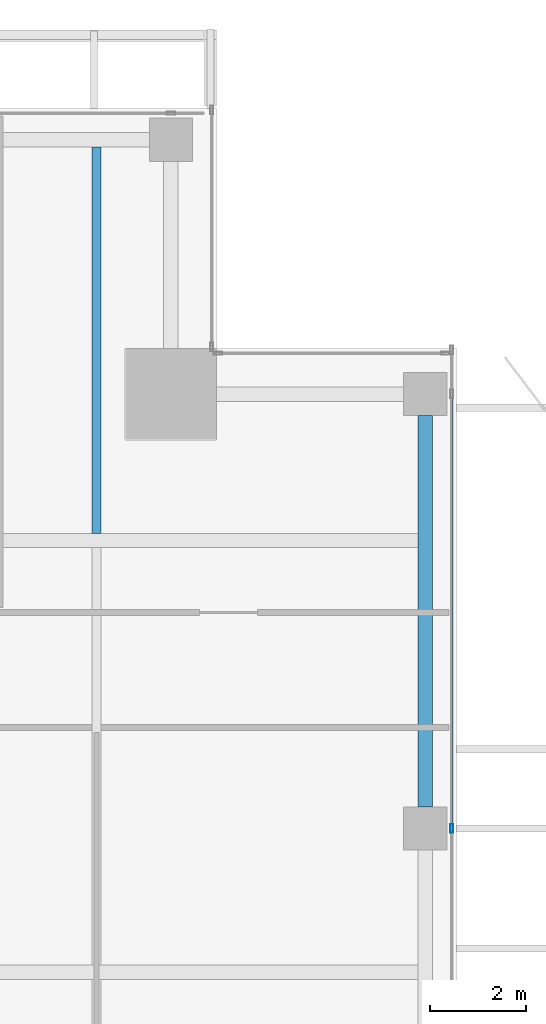
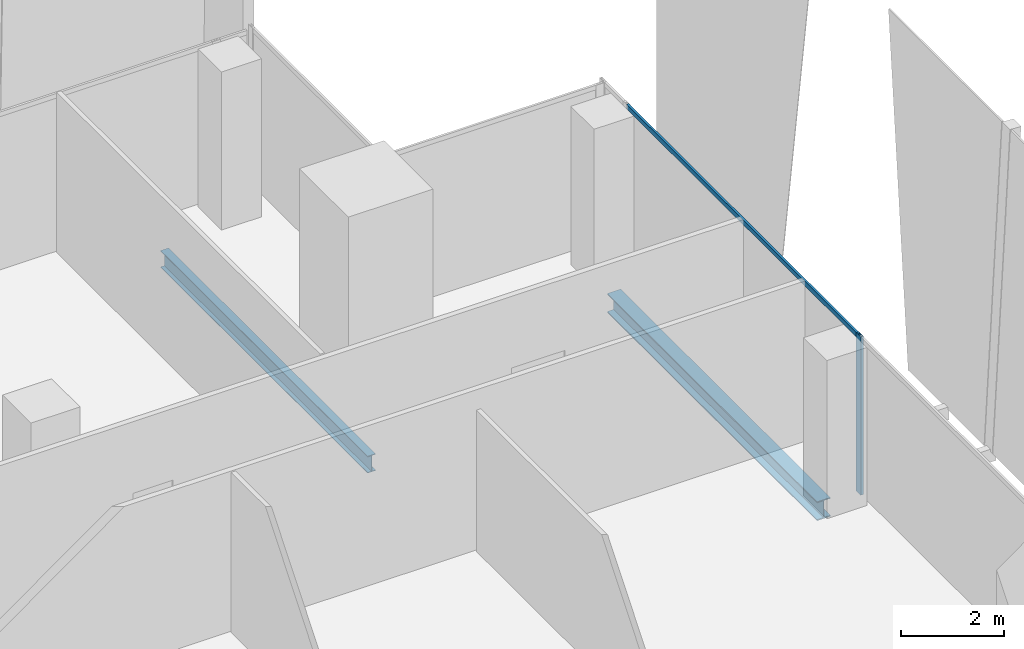
# One storey, part 19 of 35: 2 beams, 2 members, 1 element without a shape of its own.
"""IFC4 building model written with IfcOpenShell, lengths in metres."""

from ifc_helpers import new_model, si_unit, direction, frame, origin, origin_2d, place, context, subcontext, project, spatial, hollow_rectangle, i_section, extrude, source, transform, mapped, material, material_profile, profile_set, type_object, element, aggregate, save


model = new_model("IFC4")

# Units and contexts
model_context = context("Model", 3, precision=1e-05, world=origin(), true_north=direction((0.0, 1.0)))
body_context = subcontext(model_context, "Body", "Model", "MODEL_VIEW")
ifc_project = project(units=[si_unit("LENGTHUNIT", "METRE"), si_unit("AREAUNIT", "SQUARE_METRE"), si_unit("VOLUMEUNIT", "CUBIC_METRE"), si_unit("PLANEANGLEUNIT", "RADIAN"), si_unit("MASSUNIT", "GRAM", prefix="KILO")], contexts=[model_context])

# Site, building, storey
site_placement = place(None, origin())
site = spatial("IfcSite", under=ifc_project, at=site_placement, CompositionType="ELEMENT")
building_placement = place(site_placement, origin())
building = spatial("IfcBuilding", under=site, at=building_placement, Name="Khomas Fold Tower", CompositionType="ELEMENT")
storey_placement = place(building_placement, frame((0.0, 0.0, 258.199951171875)))
storey = spatial("IfcBuildingStorey", under=building, at=storey_placement, Name="L58", CompositionType="ELEMENT", Elevation=258.199951171875)

# Beams
ifc_material_1 = material(Name="Steel S355", Category="steel")
ifc_material_profile_1 = material_profile(ifc_material_1, i_section(OverallWidth=0.300048828125, OverallDepth=0.449951171875, WebThickness=0.013916015625, FlangeThickness=0.02587890625, at=origin_2d()), Name="HE 450 B")
ifc_profile_set_1 = profile_set([ifc_material_profile_1], Name="Steel S355")
beam_type_1 = type_object("IfcBeamType", Name="HE 450 B spandrel SB4", PredefinedType="SPANDREL", material=ifc_profile_set_1)
shared_shape_1 = source(origin(), body_context, "Body", "SweptSolid", [
    extrude(i_section(OverallWidth=0.300048828125, OverallDepth=0.449951171875, WebThickness=0.013916015625, FlangeThickness=0.02587890625, at=origin_2d()), origin(), (0.0, 0.0, 1.0), 8.150146484375),
])
beam_1_placement = place(storey_placement, frame((48.85009765625, 34.949951171875, -0.474853515625), z_axis=(0.0, 1.0, 0.0), x_axis=(-1.0, 0.0, 0.0)))
element("IfcBeam", 1, at=beam_1_placement, inside=storey, type_object=beam_type_1, Name="SB4", PredefinedType="SPANDREL", context=body_context, shape_type="MappedRepresentation", body=[
    mapped(shared_shape_1, transform((0.0, 0.0, 0.0))),
])
ifc_material_2 = material(Name="Steel S355", Category="steel")
ifc_material_profile_2 = material_profile(ifc_material_2, i_section(OverallWidth=0.179931640625, OverallDepth=0.39990234375, WebThickness=0.008544921875, FlangeThickness=0.013427734375, at=origin_2d()), Name="IPE 400")
ifc_profile_set_2 = profile_set([ifc_material_profile_2], Name="Steel S355")
beam_type_2 = type_object("IfcBeamType", Name="IPE 400 beam JB3", PredefinedType="BEAM", material=ifc_profile_set_2)
shared_shape_2 = source(origin(), body_context, "Body", "SweptSolid", [
    extrude(i_section(OverallWidth=0.179931640625, OverallDepth=0.39990234375, WebThickness=0.008544921875, FlangeThickness=0.013427734375, at=origin_2d()), origin(), (0.0, 0.0, 1.0), 8.050048828125),
])
beam_2_placement = place(storey_placement, frame((42.0, 40.64990234375, -0.449951171875), z_axis=(0.0, 1.0, 0.0), x_axis=(-1.0, 0.0, 0.0)))
element("IfcBeam", 2, at=beam_2_placement, inside=storey, type_object=beam_type_2, Name="JB3", PredefinedType="BEAM", context=body_context, shape_type="MappedRepresentation", body=[
    mapped(shared_shape_2, transform((0.0, 0.0, 0.0))),
])

# Curtain wall, members
ifc_material_3 = material(Name="Aluminium framed double glazing", Category="aluminium")
curtain_wall_type = type_object("IfcCurtainWallType", Name="SK-Unitised clear-glass wall, office floors CW2", PredefinedType="NOTDEFINED", material=ifc_material_3)
curtain_wall_placement = place(storey_placement, origin())
curtain_wall = element("IfcCurtainWall", 3, at=curtain_wall_placement, inside=storey, type_object=curtain_wall_type, Name="CW2 run L58 03-1", PredefinedType="NOTDEFINED")
ifc_material_4 = material(Name="Aluminium", Category="aluminium")
ifc_material_profile_3 = material_profile(ifc_material_4, hollow_rectangle(XDim=0.06005859375, YDim=0.179931640625, WallThickness=0.00390625, at=origin_2d()), Name="SK-Unitised clear-glass wall, office floors mullion CW2-M")
ifc_profile_set_3 = profile_set([ifc_material_profile_3], Name="Aluminium")
member_type_1 = type_object("IfcMemberType", Name="SK-Unitised clear-glass wall, office floors mullion CW2-M", PredefinedType="MULLION", material=ifc_profile_set_3)
shared_shape_3 = source(origin(), body_context, "Body", "SweptSolid", [
    extrude(hollow_rectangle(XDim=0.06005859375, YDim=0.179931640625, WallThickness=0.00390625, at=origin_2d()), origin(), (0.0, 0.0, 1.0), 3.75),
])
member_1_placement = place(storey_placement, frame((49.39990234375, 34.5, 0.0), z_axis=(0.0, 0.0, 1.0), x_axis=(-1.0, 0.0, 0.0)))
member_1 = element("IfcMember", 4, at=member_1_placement, type_object=member_type_1, Name="CW2 mullion 3", PredefinedType="MULLION", context=body_context, shape_type="MappedRepresentation", body=[
    mapped(shared_shape_3, transform((0.0, 0.0, 0.0))),
])
ifc_material_5 = material(Name="Aluminium", Category="aluminium")
ifc_material_profile_4 = material_profile(ifc_material_5, hollow_rectangle(XDim=0.050048828125, YDim=0.110107421875, WallThickness=0.00390625, at=origin_2d()), Name="SK-Unitised clear-glass wall, office floors transom CW2-T")
ifc_profile_set_4 = profile_set([ifc_material_profile_4], Name="Aluminium")
member_type_2 = type_object("IfcMemberType", Name="SK-Unitised clear-glass wall, office floors transom CW2-T", PredefinedType="USERDEFINED", material=ifc_profile_set_4)
shared_shape_4 = source(origin(), body_context, "Body", "SweptSolid", [
    extrude(hollow_rectangle(XDim=0.050048828125, YDim=0.110107421875, WallThickness=0.00390625, at=origin_2d()), origin(), (0.0, 0.0, 1.0), 8.989990234375),
])
member_2_placement = place(storey_placement, frame((49.39990234375, 34.530029296875, 3.695068359375), z_axis=(0.0, 1.0, 0.0), x_axis=(-1.0, 0.0, 0.0)))
member_2 = element("IfcMember", 5, at=member_2_placement, type_object=member_type_2, Name="CW2 transom 3", ObjectType="TRANSOM", PredefinedType="USERDEFINED", context=body_context, shape_type="MappedRepresentation", body=[
    mapped(shared_shape_4, transform((0.0, 0.0, 0.0))),
])
aggregate(curtain_wall, [member_1, member_2])

save(model, "model.ifc")
